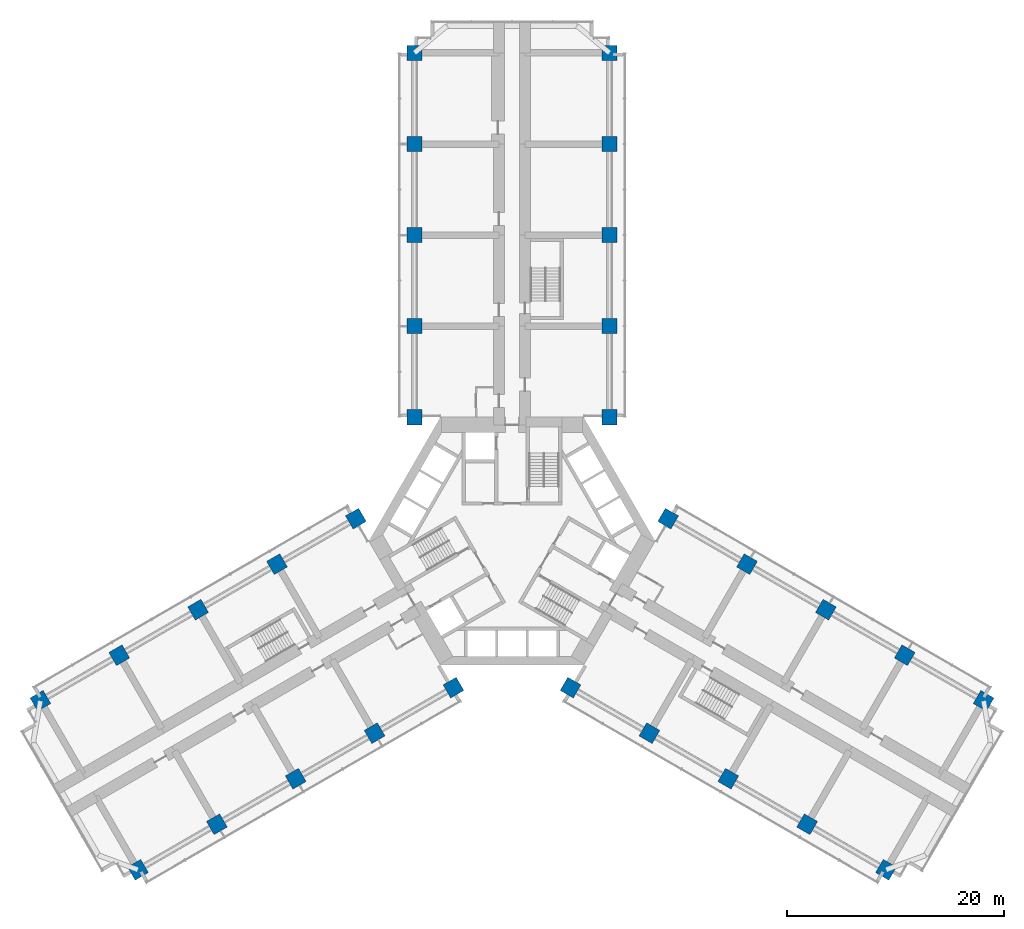
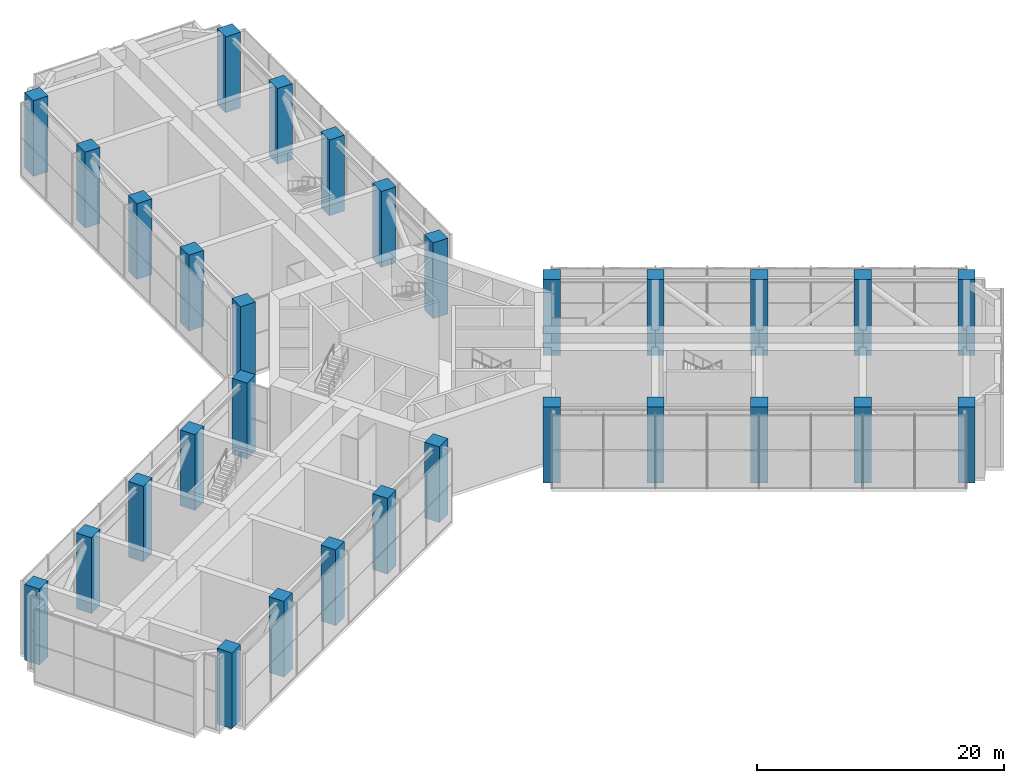
# One storey, part 1 of 19: 30 columns.
"""IFC4 building model written with IfcOpenShell, lengths in metres."""

from ifc_helpers import new_model, si_unit, direction, frame, origin, origin_2d, place, context, subcontext, project, spatial, rectangle, extrude, material, material_profile, profile_set, type_object, element, save


model = new_model("IFC4")

# Units and contexts
model_context = context("Model", 3, precision=1e-05, world=origin(), true_north=direction((0.0, 1.0)))
body_context = subcontext(model_context, "Body", "Model", "MODEL_VIEW")
ifc_project = project(units=[si_unit("LENGTHUNIT", "METRE"), si_unit("AREAUNIT", "SQUARE_METRE"), si_unit("VOLUMEUNIT", "CUBIC_METRE"), si_unit("PLANEANGLEUNIT", "RADIAN"), si_unit("MASSUNIT", "GRAM", prefix="KILO")], contexts=[model_context])

# Site, building, storey
site_placement = place(None, origin())
site = spatial("IfcSite", under=ifc_project, at=site_placement, CompositionType="ELEMENT")
building_placement = place(site_placement, origin())
building = spatial("IfcBuilding", under=site, at=building_placement, Name="Impinga Residences", CompositionType="ELEMENT")
storey_placement = place(building_placement, frame((0.0, 0.0, 93.5)))
storey = spatial("IfcBuildingStorey", under=building, at=storey_placement, Name="L23", CompositionType="ELEMENT", Elevation=93.5)

# Columns
ifc_material = material(Name="Concrete C70/85", Category="concrete")
ifc_material_profile = material_profile(ifc_material, rectangle(XDim=1.39990234375, YDim=1.39990234375, at=origin_2d()), Name="RC 1400x1400")
ifc_profile_set = profile_set([ifc_material_profile], Name="Concrete C70/85")
column_type = type_object("IfcColumnType", Name="C2 1400x1400 column", PredefinedType="COLUMN", material=ifc_profile_set)
for number, where, z_axis, x_axis, name in (
    (1, (-9.0, 11.431640625, 0.0), (0.0, 0.0, 1.0), (1.0, 0.0, 0.0), "Column C2 N1/NA L23"),
    (2, (9.0, 11.431640625, 0.0), (0.0, 0.0, 1.0), (1.0, 0.0, 0.0), "Column C2 N1/NF L23"),
    (3, (-9.0, 19.83154296875, 0.0), (0.0, 0.0, 1.0), (1.0, 0.0, 0.0), "Column C2 N2/NA L23"),
    (4, (9.0, 19.83154296875, 0.0), (0.0, 0.0, 1.0), (1.0, 0.0, 0.0), "Column C2 N2/NF L23"),
    (5, (-9.0, 28.2314453125, 0.0), (0.0, 0.0, 1.0), (1.0, 0.0, 0.0), "Column C2 N3/NA L23"),
    (6, (9.0, 28.2314453125, 0.0), (0.0, 0.0, 1.0), (1.0, 0.0, 0.0), "Column C2 N3/NF L23"),
    (7, (-9.0, 36.631591796875, 0.0), (0.0, 0.0, 1.0), (1.0, 0.0, 0.0), "Column C2 N4/NA L23"),
    (8, (9.0, 36.631591796875, 0.0), (0.0, 0.0, 1.0), (1.0, 0.0, 0.0), "Column C2 N4/NF L23"),
    (9, (-9.0, 45.031494140625, 0.0), (0.0, 0.0, 1.0), (1.0, 0.0, 0.0), "Column C2 N5/NA L23"),
    (10, (9.0, 45.031494140625, 0.0), (0.0, 0.0, 1.0), (1.0, 0.0, 0.0), "Column C2 N5/NF L23"),
    (11, (-5.39990234375, -13.510009765625, 0.0), (0.0, 0.0, 1.0), (-0.5, 0.866025403784, 0.0), "Column C2 W1/WA L23"),
    (12, (-14.39990234375, 2.078369140625, 0.0), (0.0, 0.0, 1.0), (-0.5, 0.866025403784, 0.0), "Column C2 W1/WF L23"),
    (13, (-12.674560546875, -17.7099609375, 0.0), (0.0, 0.0, 1.0), (-0.5, 0.866025403784, 0.0), "Column C2 W2/WA L23"),
    (14, (-21.674560546875, -2.12158203125, 0.0), (0.0, 0.0, 1.0), (-0.5, 0.866025403784, 0.0), "Column C2 W2/WF L23"),
    (15, (-19.94921875, -21.909912109375, 0.0), (0.0, 0.0, 1.0), (-0.5, 0.866025403784, 0.0), "Column C2 W3/WA L23"),
    (16, (-28.94921875, -6.321533203125, 0.0), (0.0, 0.0, 1.0), (-0.5, 0.866025403784, 0.0), "Column C2 W3/WF L23"),
    (17, (-27.223876953125, -26.110107421875, 0.0), (0.0, 0.0, 1.0), (-0.5, 0.866025403784, 0.0), "Column C2 W4/WA L23"),
    (18, (-36.223876953125, -10.521484375, 0.0), (0.0, 0.0, 1.0), (-0.5, 0.866025403784, 0.0), "Column C2 W4/WF L23"),
    (19, (-34.49853515625, -30.31005859375, 0.0), (0.0, 0.0, 1.0), (-0.5, 0.866025403784, 0.0), "Column C2 W5/WA L23"),
    (20, (-43.49853515625, -14.721435546875, 0.0), (0.0, 0.0, 1.0), (-0.5, 0.866025403784, 0.0), "Column C2 W5/WF L23"),
    (21, (14.39990234375, 2.078369140625, 0.0), (0.0, 0.0, 1.0), (-0.5, -0.866025403784, 0.0), "Column C2 E1/EA L23"),
    (22, (5.39990234375, -13.510009765625, 0.0), (0.0, 0.0, 1.0), (-0.5, -0.866025403784, 0.0), "Column C2 E1/EF L23"),
    (23, (21.674560546875, -2.12158203125, 0.0), (0.0, 0.0, 1.0), (-0.5, -0.866025403784, 0.0), "Column C2 E2/EA L23"),
    (24, (12.674560546875, -17.7099609375, 0.0), (0.0, 0.0, 1.0), (-0.5, -0.866025403784, 0.0), "Column C2 E2/EF L23"),
    (25, (28.94921875, -6.321533203125, 0.0), (0.0, 0.0, 1.0), (-0.5, -0.866025403784, 0.0), "Column C2 E3/EA L23"),
    (26, (19.94921875, -21.909912109375, 0.0), (0.0, 0.0, 1.0), (-0.5, -0.866025403784, 0.0), "Column C2 E3/EF L23"),
    (27, (36.223876953125, -10.521484375, 0.0), (0.0, 0.0, 1.0), (-0.5, -0.866025403784, 0.0), "Column C2 E4/EA L23"),
    (28, (27.223876953125, -26.110107421875, 0.0), (0.0, 0.0, 1.0), (-0.5, -0.866025403784, 0.0), "Column C2 E4/EF L23"),
    (29, (43.49853515625, -14.721435546875, 0.0), (0.0, 0.0, 1.0), (-0.5, -0.866025403784, 0.0), "Column C2 E5/EA L23"),
    (30, (34.49853515625, -30.31005859375, 0.0), (0.0, 0.0, 1.0), (-0.5, -0.866025403784, 0.0), "Column C2 E5/EF L23"),
):
    element("IfcColumn", number, at=place(storey_placement, frame(where, z_axis=z_axis, x_axis=x_axis)), inside=storey, type_object=column_type, Name=name, PredefinedType="COLUMN", context=body_context, shape_type="SweptSolid", body=[
        extrude(rectangle(XDim=1.39990234375, YDim=1.39990234375, at=origin_2d()), origin(), (0.0, 0.0, 1.0), 7.5),
    ])

save(model, "model.ifc")
